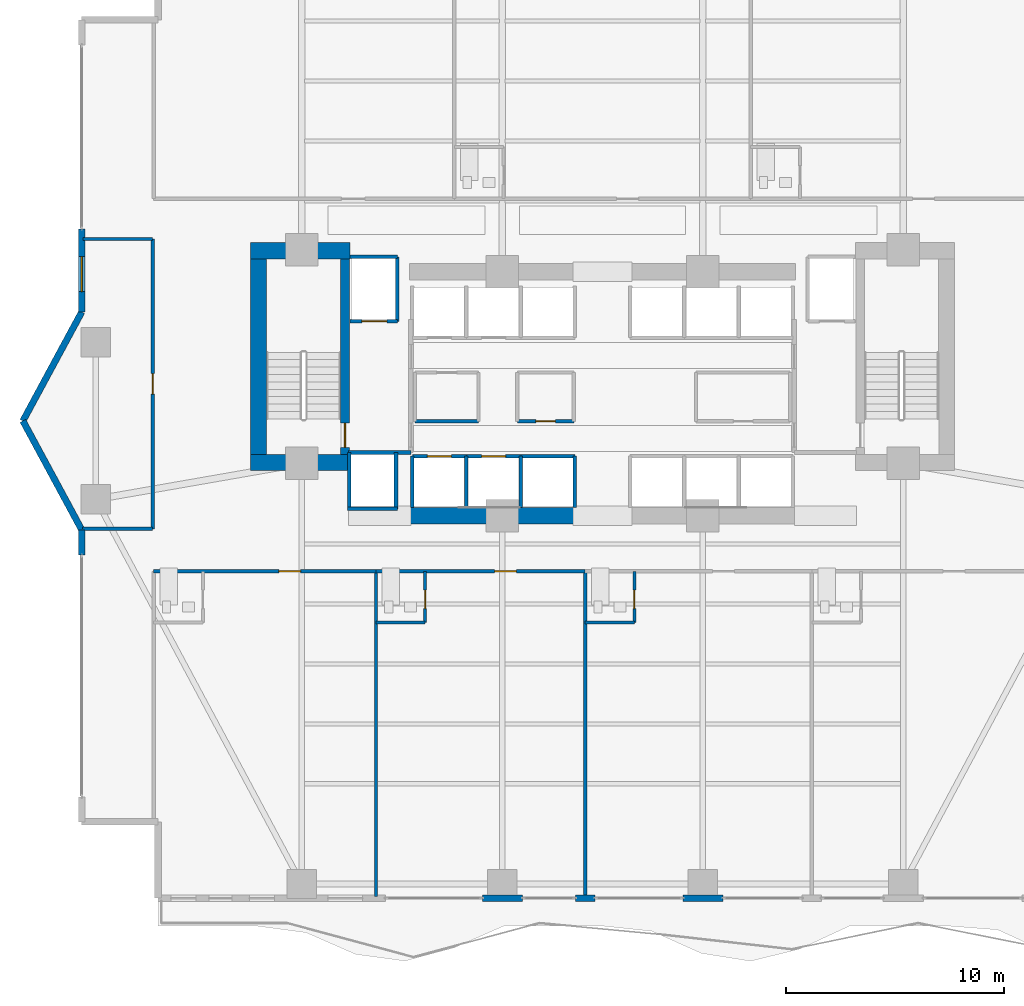
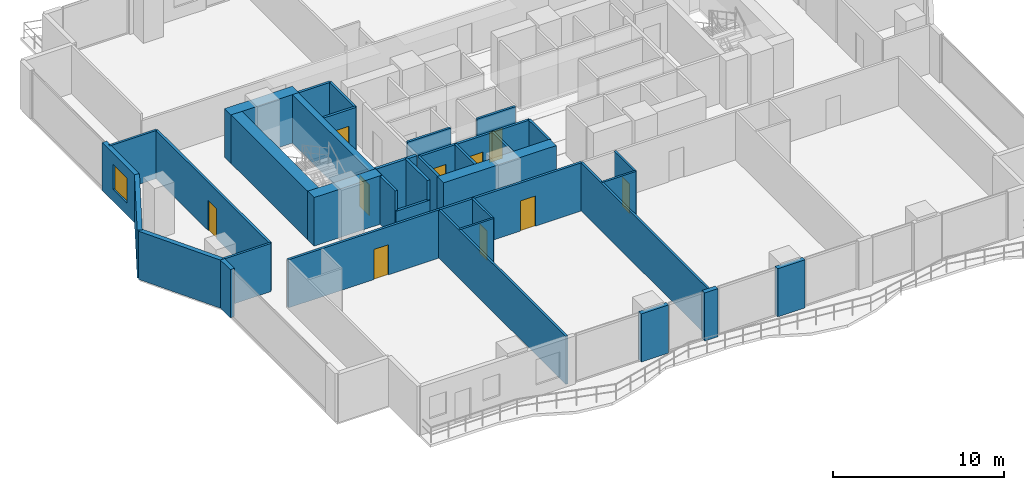
# One storey, part 21 of 28: 39 walls, 10 doors, 1 window, 11 openings.
"""IFC4 building model written with IfcOpenShell, lengths in metres."""

from ifc_helpers import new_model, si_unit, direction, frame, frame_2d, origin, place, context, subcontext, project, spatial, rectangle, extrude, material, layer, layer_set, type_object, element, fill, save


model = new_model("IFC4")

# Units and contexts
model_context = context("Model", 3, precision=1e-05, world=origin(), true_north=direction((0.0, 1.0)))
body_context = subcontext(model_context, "Body", "Model", "MODEL_VIEW")
ifc_project = project(units=[si_unit("LENGTHUNIT", "METRE"), si_unit("AREAUNIT", "SQUARE_METRE"), si_unit("VOLUMEUNIT", "CUBIC_METRE"), si_unit("PLANEANGLEUNIT", "RADIAN"), si_unit("MASSUNIT", "GRAM", prefix="KILO")], contexts=[model_context])

# Site, building, storey
site_placement = place(None, origin())
site = spatial("IfcSite", under=ifc_project, at=site_placement, CompositionType="ELEMENT")
building_placement = place(site_placement, origin())
building = spatial("IfcBuilding", under=site, at=building_placement, Name="Zuhayl Quay Hotel", CompositionType="ELEMENT")
storey_placement = place(building_placement, frame((0.0, 0.0, 146.75)))
storey = spatial("IfcBuildingStorey", under=building, at=storey_placement, Name="L37", CompositionType="ELEMENT", Elevation=146.75)

# Walls
ifc_material_1 = material(Name="Concrete C60/75", Category="concrete")
ifc_layer_1 = layer(ifc_material_1, 0.75, Name="Concrete C60/75", Category="concrete")
ifc_layer_set_1 = layer_set([ifc_layer_1], Name="Concrete C60/75")
wall_type_1 = type_object("IfcWallType", Name="WL_CORE_750", PredefinedType="SHEAR", material=ifc_layer_set_1)
wall_1_placement = place(storey_placement, frame((-16.159912109375, 14.304931640625, 0.0), z_axis=(0.0, 0.0, 1.0), x_axis=(1.0, 0.0, 0.0)))
element("IfcWall", 1, at=wall_1_placement, inside=storey, type_object=wall_type_1, Name="L37 Core Shear Wall CW_NW", PredefinedType="SHEAR", context=body_context, shape_type="SweptSolid", body=[
    extrude(rectangle(XDim=4.559814453125, YDim=0.75, at=frame_2d((2.27978515625, 0.0))), origin(), (0.0, 0.0, 1.0), 3.4599609375),
])
wall_2_placement = place(storey_placement, frame((-15.784912109375, 4.969970703125, 0.0), z_axis=(0.0, 0.0, 1.0), x_axis=(0.0, 1.0, 0.0)))
element("IfcWall", 2, at=wall_2_placement, inside=storey, type_object=wall_type_1, Name="L37 Core Shear Wall CW_W", PredefinedType="SHEAR", context=body_context, shape_type="SweptSolid", body=[
    extrude(rectangle(XDim=8.9599609375, YDim=0.75, at=frame_2d((4.47998046875, 0.0))), origin(), (0.0, 0.0, 1.0), 3.4599609375),
])
wall_3_placement = place(storey_placement, frame((-16.159912109375, 4.594970703125, 0.0), z_axis=(0.0, 0.0, 1.0), x_axis=(1.0, 0.0, 0.0)))
element("IfcWall", 3, at=wall_3_placement, inside=storey, type_object=wall_type_1, Name="L37 Core Shear Wall CW_SW", PredefinedType="SHEAR", context=body_context, shape_type="SweptSolid", body=[
    extrude(rectangle(XDim=4.559814453125, YDim=0.75, at=frame_2d((2.27978515625, 0.0))), origin(), (0.0, 0.0, 1.0), 3.4599609375),
])
wall_4_placement = place(storey_placement, frame((-8.85009765625, 2.14990234375, 0.0), z_axis=(0.0, 0.0, 1.0), x_axis=(1.0, 0.0, 0.0)))
element("IfcWall", 4, at=wall_4_placement, inside=storey, type_object=wall_type_1, Name="L37 Core Shear Wall CW_SC_W", PredefinedType="SHEAR", context=body_context, shape_type="SweptSolid", body=[
    extrude(rectangle(XDim=7.60009765625, YDim=0.75, at=frame_2d((3.800048828125, 0.0))), origin(), (0.0, 0.0, 1.0), 3.429931640625),
])
ifc_material_2 = material(Name="Precast concrete C45/55", Category="concrete")
ifc_layer_2 = layer(ifc_material_2, 0.300048828125, Name="Precast concrete C45/55", Category="concrete")
ifc_layer_set_2 = layer_set([ifc_layer_2], Name="Precast concrete C45/55")
wall_type_2 = type_object("IfcWallType", Name="WL_EXT_300", PredefinedType="STANDARD", material=ifc_layer_set_2)
wall_5_placement = place(storey_placement, frame((-23.89990234375, 0.35009765625, 0.0), z_axis=(0.0, 0.0, 1.0), x_axis=(0.0, 1.0, 0.0)))
element("IfcWall", 5, at=wall_5_placement, inside=storey, type_object=wall_type_2, Name="L37 Exterior Precast Wall ENV_L37_E02_EW2", PredefinedType="STANDARD", context=body_context, shape_type="SweptSolid", body=[
    extrude(rectangle(XDim=1.14990234375, YDim=0.300048828125, at=frame_2d((0.574951171875, 0.0))), origin(), (0.0, 0.0, 1.0), 3.429931640625),
])
for number, where, z_axis, x_axis, name in (
    (6, (-23.89990234375, 1.5, 0.0), (0.0, 0.0, 1.0), (-0.475175525499, 0.879891027325, 0.0), "L37 Exterior Precast Wall ENV_L37_EW03"),
    (7, (-26.60009765625, 6.5, 0.0), (0.0, 0.0, 1.0), (0.475175525499, 0.879891027325, 0.0), "L37 Exterior Precast Wall ENV_L37_EW04"),
):
    element("IfcWall", number, at=place(storey_placement, frame(where, z_axis=z_axis, x_axis=x_axis)), inside=storey, type_object=wall_type_2, Name=name, PredefinedType="STANDARD", context=body_context, shape_type="SweptSolid", body=[
        extrude(rectangle(XDim=5.6826171875, YDim=0.300048828125, at=frame_2d((2.84130859375, 0.0))), origin(), (0.0, 0.0, 1.0), 3.429931640625),
    ])

# Wall, opening, window
wall_6_placement = place(storey_placement, frame((-23.89990234375, 11.5, 0.0), z_axis=(0.0, 0.0, 1.0), x_axis=(0.0, 1.0, 0.0)))
wall_6 = element("IfcWall", 8, at=wall_6_placement, inside=storey, type_object=wall_type_2, Name="L37 Exterior Precast Wall ENV_L37_E05_EW1", PredefinedType="STANDARD", context=body_context, shape_type="SweptSolid", body=[
    extrude(rectangle(XDim=3.800048828125, YDim=0.300048828125, at=frame_2d((1.89990234375, 0.0))), origin(), (0.0, 0.0, 1.0), 3.429931640625),
])
opening_1_placement = place(wall_6_placement, frame((0.93505859375, 0.0, 0.85009765625)))
opening_1 = element("IfcOpeningElement", 9, at=opening_1_placement, cuts=wall_6, Name="Opening W01", PredefinedType="OPENING", context=body_context, shape_type="SweptSolid", body=[
    extrude(rectangle(XDim=1.60009765625, YDim=1.800048828125, at=frame_2d((0.800048828125, 0.89990234375))), frame((0.0, 0.159912109375, 0.0), z_axis=(0.0, -1.0, 0.0), x_axis=(1.0, 0.0, 0.0)), (0.0, 0.0, 1.0), 0.320068359375),
])
ifc_material_3 = material(Name="Dark Ceramic-Fritted Solar Glass", Category="glass")
window_type = type_object("IfcWindowType", Name="WN_OPERABLE_1600", PartitioningType="DOUBLE_PANEL_VERTICAL", PredefinedType="WINDOW", material=ifc_material_3)
window_placement = place(opening_1_placement, origin())
window = element("IfcWindow", 10, at=window_placement, inside=storey, type_object=window_type, Name="L37 Operable Facade Window 1-1", OverallHeight=1.800048828125, OverallWidth=1.60009765625, PartitioningType="SINGLE_PANEL", PredefinedType="WINDOW", context=body_context, shape_type="SweptSolid", body=[
    extrude(rectangle(XDim=1.60009765625, YDim=1.800048828125, at=frame_2d((0.800048828125, 0.89990234375))), frame((0.0, 0.030029296875, 0.0), z_axis=(0.0, -1.0, 0.0), x_axis=(1.0, 0.0, 0.0)), (0.0, 0.0, 1.0), 0.06005859375),
])
fill(opening_1, window)

# Walls
wall_7_placement = place(storey_placement, frame((5.52001953125, -15.39990234375, 0.0), z_axis=(0.0, 0.0, 1.0), x_axis=(-1.0, 0.0, 0.0)))
element("IfcWall", 11, at=wall_7_placement, inside=storey, type_object=wall_type_2, Name="L37 Exterior Precast Wall ENV_L37_S_EW4", PredefinedType="STANDARD", context=body_context, shape_type="SweptSolid", body=[
    extrude(rectangle(XDim=1.840087890625, YDim=0.300048828125, at=frame_2d((0.919921875, 0.0))), origin(), (0.0, 0.0, 1.0), 3.429931640625),
])
wall_8_placement = place(storey_placement, frame((-0.35009765625, -15.39990234375, 0.0), z_axis=(0.0, 0.0, 1.0), x_axis=(-1.0, 0.0, 0.0)))
element("IfcWall", 12, at=wall_8_placement, inside=storey, type_object=wall_type_2, Name="L37 Exterior Precast Wall ENV_L37_S_EW5", PredefinedType="STANDARD", context=body_context, shape_type="SweptSolid", body=[
    extrude(rectangle(XDim=0.89990234375, YDim=0.300048828125, at=frame_2d((0.449951171875, 0.0))), origin(), (0.0, 0.0, 1.0), 3.429931640625),
])
wall_9_placement = place(storey_placement, frame((-3.679931640625, -15.39990234375, 0.0), z_axis=(0.0, 0.0, 1.0), x_axis=(-1.0, 0.0, 0.0)))
element("IfcWall", 13, at=wall_9_placement, inside=storey, type_object=wall_type_2, Name="L37 Exterior Precast Wall ENV_L37_S_EW6", PredefinedType="STANDARD", context=body_context, shape_type="SweptSolid", body=[
    extrude(rectangle(XDim=1.840087890625, YDim=0.300048828125, at=frame_2d((0.919921875, 0.0))), origin(), (0.0, 0.0, 1.0), 3.429931640625),
])

# Wall, opening, door
ifc_material_4 = material(Name="Acoustic Gypsum Partition STC-58")
ifc_layer_3 = layer(ifc_material_4, 0.14990234375, Name="Acoustic Gypsum Partition STC-58")
ifc_layer_set_3 = layer_set([ifc_layer_3], Name="Acoustic Gypsum Partition STC-58")
wall_type_3 = type_object("IfcWallType", Name="WL_PART_150", PredefinedType="PARTITIONING", material=ifc_layer_set_3)
wall_10_placement = place(storey_placement, frame((-3.909912109375, 6.47998046875, 0.0), z_axis=(0.0, 0.0, 1.0), x_axis=(1.0, 0.0, 0.0)))
wall_10 = element("IfcWall", 14, at=wall_10_placement, inside=storey, type_object=wall_type_3, Name="L37 Partition IW_L37_CORE_BC_S", PredefinedType="PARTITIONING", context=body_context, shape_type="SweptSolid", body=[
    extrude(rectangle(XDim=2.58984375, YDim=0.14990234375, at=frame_2d((1.294921875, 0.0))), origin(), (0.0, 0.0, 1.0), 3.429931640625),
])
opening_2_placement = place(wall_10_placement, frame((0.844970703125, 0.0, 0.0)))
opening_2 = element("IfcOpeningElement", 15, at=opening_2_placement, cuts=wall_10, Name="Opening D06", PredefinedType="OPENING", context=body_context, shape_type="SweptSolid", body=[
    extrude(rectangle(XDim=0.89990234375, YDim=2.14990234375, at=frame_2d((0.449951171875, 1.074951171875))), frame((0.0, 0.0849609375, 0.0), z_axis=(0.0, -1.0, 0.0), x_axis=(1.0, 0.0, 0.0)), (0.0, 0.0, 1.0), 0.169921875),
])
ifc_material_5 = material(Name="Steel ASTM A992 Grade 50", Category="steel")
door_type_1 = type_object("IfcDoorType", Name="DR_INT_900", OperationType="NOTDEFINED", PredefinedType="DOOR", material=ifc_material_5)
door_1_placement = place(opening_2_placement, origin())
door_1 = element("IfcDoor", 16, at=door_1_placement, inside=storey, type_object=door_type_1, Name="L37 BMS Control Closet Door", OperationType="SINGLE_SWING_RIGHT", OverallHeight=2.14990234375, OverallWidth=0.89990234375, PredefinedType="DOOR", context=body_context, shape_type="SweptSolid", body=[
    extrude(rectangle(XDim=0.89990234375, YDim=2.14990234375, at=frame_2d((0.449951171875, 1.074951171875))), frame((0.0, 0.02490234375, 0.0), z_axis=(0.0, -1.0, 0.0), x_axis=(1.0, 0.0, 0.0)), (0.0, 0.0, 1.0), 0.050048828125),
])
fill(opening_2, door_1)

# Walls
wall_11_placement = place(storey_placement, frame((-8.610107421875, 6.47998046875, 0.0), z_axis=(0.0, 0.0, 1.0), x_axis=(1.0, 0.0, 0.0)))
element("IfcWall", 17, at=wall_11_placement, inside=storey, type_object=wall_type_3, Name="L37 Partition IW_L37_CORE_HK_S", PredefinedType="PARTITIONING", context=body_context, shape_type="SweptSolid", body=[
    extrude(rectangle(XDim=2.920166015625, YDim=0.14990234375, at=frame_2d((1.4599609375, 0.0))), origin(), (0.0, 0.0, 1.0), 3.429931640625),
])
for number, where, z_axis, x_axis, name in (
    (18, (-10.39990234375, -15.320068359375, 0.0), (0.0, 0.0, 1.0), (0.0, 1.0, 0.0), "L37 Partition IW_L37_SU01_E"),
    (19, (-0.800048828125, -15.320068359375, 0.0), (0.0, 0.0, 1.0), (0.0, 1.0, 0.0), "L37 Partition IW_L37_SU02_E"),
):
    element("IfcWall", number, at=place(storey_placement, frame(where, z_axis=z_axis, x_axis=x_axis)), inside=storey, type_object=wall_type_3, Name=name, PredefinedType="PARTITIONING", context=body_context, shape_type="SweptSolid", body=[
        extrude(rectangle(XDim=14.920166015625, YDim=0.14990234375, at=frame_2d((7.4599609375, 0.0))), origin(), (0.0, 0.0, 1.0), 3.429931640625),
    ])
wall_12_placement = place(storey_placement, frame((-23.866943359375, 1.550048828125, 0.0), z_axis=(0.0, 0.0, 1.0), x_axis=(1.0, 0.0, 0.0)))
element("IfcWall", 20, at=wall_12_placement, inside=storey, type_object=wall_type_3, Name="L37 Partition IW_L37_WPROW_1_S", PredefinedType="PARTITIONING", context=body_context, shape_type="SweptSolid", body=[
    extrude(rectangle(XDim=3.217041015625, YDim=0.14990234375, at=frame_2d((1.6083984375, 0.0))), origin(), (0.0, 0.0, 1.0), 3.429931640625),
])
wall_13_placement = place(storey_placement, frame((-23.840087890625, 14.85009765625, 0.0), z_axis=(0.0, 0.0, 1.0), x_axis=(1.0, 0.0, 0.0)))
element("IfcWall", 21, at=wall_13_placement, inside=storey, type_object=wall_type_3, Name="L37 Partition IW_L37_WPROW_1_N", PredefinedType="PARTITIONING", context=body_context, shape_type="SweptSolid", body=[
    extrude(rectangle(XDim=3.190185546875, YDim=0.14990234375, at=frame_2d((1.59521484375, 0.0))), origin(), (0.0, 0.0, 1.0), 3.429931640625),
])

# Wall, opening, door
ifc_layer_4 = layer(ifc_material_4, 0.159912109375, Name="Acoustic Gypsum Partition STC-58")
ifc_layer_set_4 = layer_set([ifc_layer_4], Name="Acoustic Gypsum Partition STC-58")
wall_type_4 = type_object("IfcWallType", Name="WL_PART_CORR_160", PredefinedType="PARTITIONING", material=ifc_layer_set_4)
wall_14_placement = place(storey_placement, frame((-20.60009765625, -0.39990234375, 0.0), z_axis=(0.0, 0.0, 1.0), x_axis=(1.0, 0.0, 0.0)))
wall_14 = element("IfcWall", 22, at=wall_14_placement, inside=storey, type_object=wall_type_4, Name="L37 Partition IW_L37_SU01_COR", PredefinedType="PARTITIONING", context=body_context, shape_type="SweptSolid", body=[
    extrude(rectangle(XDim=10.2001953125, YDim=0.159912109375, at=frame_2d((5.10009765625, 0.0))), origin(), (0.0, 0.0, 1.0), 3.429931640625),
])
opening_3_placement = place(wall_14_placement, frame((5.75, 0.0, 0.0)))
opening_3 = element("IfcOpeningElement", 23, at=opening_3_placement, cuts=wall_14, Name="Opening D03L", PredefinedType="OPENING", context=body_context, shape_type="SweptSolid", body=[
    extrude(rectangle(XDim=1.0, YDim=2.14990234375, at=frame_2d((0.5, 1.074951171875))), frame((0.0, 0.08984375, 0.0), z_axis=(0.0, -1.0, 0.0), x_axis=(1.0, 0.0, 0.0)), (0.0, 0.0, 1.0), 0.179931640625),
])
ifc_material_6 = material(Name="Solid Walnut Acoustic Fire Door")
door_type_2 = type_object("IfcDoorType", Name="DR_SUITE_1000", OperationType="NOTDEFINED", PredefinedType="DOOR", material=ifc_material_6)
door_2_placement = place(opening_3_placement, origin())
door_2 = element("IfcDoor", 24, at=door_2_placement, inside=storey, type_object=door_type_2, Name="L37 City-View Junior Suite L37-01 Entrance Door", OperationType="SINGLE_SWING_RIGHT", OverallHeight=2.14990234375, OverallWidth=1.0, PredefinedType="DOOR", context=body_context, shape_type="SweptSolid", body=[
    extrude(rectangle(XDim=1.0, YDim=2.14990234375, at=frame_2d((0.5, 1.074951171875))), frame((0.0, 0.02490234375, 0.0), z_axis=(0.0, -1.0, 0.0), x_axis=(1.0, 0.0, 0.0)), (0.0, 0.0, 1.0), 0.050048828125),
])
fill(opening_3, door_2)

wall_15_placement = place(storey_placement, frame((-10.39990234375, -0.39990234375, 0.0), z_axis=(0.0, 0.0, 1.0), x_axis=(1.0, 0.0, 0.0)))
wall_15 = element("IfcWall", 25, at=wall_15_placement, inside=storey, type_object=wall_type_4, Name="L37 Partition IW_L37_SU02_COR", PredefinedType="PARTITIONING", context=body_context, shape_type="SweptSolid", body=[
    extrude(rectangle(XDim=9.599853515625, YDim=0.159912109375, at=frame_2d((4.7998046875, 0.0))), origin(), (0.0, 0.0, 1.0), 3.429931640625),
])
opening_4_placement = place(wall_15_placement, frame((5.449951171875, 0.0, 0.0)))
opening_4 = element("IfcOpeningElement", 26, at=opening_4_placement, cuts=wall_15, Name="Opening D03L", PredefinedType="OPENING", context=body_context, shape_type="SweptSolid", body=[
    extrude(rectangle(XDim=1.0, YDim=2.14990234375, at=frame_2d((0.5, 1.074951171875))), frame((0.0, 0.08984375, 0.0), z_axis=(0.0, -1.0, 0.0), x_axis=(1.0, 0.0, 0.0)), (0.0, 0.0, 1.0), 0.179931640625),
])
door_3_placement = place(opening_4_placement, origin())
door_3 = element("IfcDoor", 27, at=door_3_placement, inside=storey, type_object=door_type_2, Name="L37 City-View Junior Suite L37-02 Entrance Door", OperationType="SINGLE_SWING_RIGHT", OverallHeight=2.14990234375, OverallWidth=1.0, PredefinedType="DOOR", context=body_context, shape_type="SweptSolid", body=[
    extrude(rectangle(XDim=1.0, YDim=2.14990234375, at=frame_2d((0.5, 1.074951171875))), frame((0.0, 0.02490234375, 0.0), z_axis=(0.0, -1.0, 0.0), x_axis=(1.0, 0.0, 0.0)), (0.0, 0.0, 1.0), 0.050048828125),
])
fill(opening_4, door_3)

wall_16_placement = place(storey_placement, frame((-20.64990234375, 1.550048828125, 0.0), z_axis=(0.0, 0.0, 1.0), x_axis=(0.0, 1.0, 0.0)))
wall_16 = element("IfcWall", 28, at=wall_16_placement, inside=storey, type_object=wall_type_4, Name="L37 Partition IW_L37_WPROW_1_E", PredefinedType="PARTITIONING", context=body_context, shape_type="SweptSolid", body=[
    extrude(rectangle(XDim=13.300048828125, YDim=0.159912109375, at=frame_2d((6.64990234375, 0.0))), origin(), (0.0, 0.0, 1.0), 3.429931640625),
])
opening_5_placement = place(wall_16_placement, frame((6.175048828125, 0.0, 0.0)))
opening_5 = element("IfcOpeningElement", 29, at=opening_5_placement, cuts=wall_16, Name="Opening D03", PredefinedType="OPENING", context=body_context, shape_type="SweptSolid", body=[
    extrude(rectangle(XDim=0.949951171875, YDim=2.14990234375, at=frame_2d((0.47509765625, 1.074951171875))), frame((0.0, 0.08984375, 0.0), z_axis=(0.0, -1.0, 0.0), x_axis=(1.0, 0.0, 0.0)), (0.0, 0.0, 1.0), 0.179931640625),
])
door_type_3 = type_object("IfcDoorType", Name="DR_SUITE_950", OperationType="NOTDEFINED", PredefinedType="DOOR", material=ifc_material_6)
door_4_placement = place(opening_5_placement, origin())
door_4 = element("IfcDoor", 30, at=door_4_placement, inside=storey, type_object=door_type_3, Name="L37 West Prow Panoramic Salon L37 Door", OperationType="SINGLE_SWING_LEFT", OverallHeight=2.14990234375, OverallWidth=0.949951171875, PredefinedType="DOOR", context=body_context, shape_type="SweptSolid", body=[
    extrude(rectangle(XDim=0.949951171875, YDim=2.14990234375, at=frame_2d((0.47509765625, 1.074951171875))), frame((0.0, 0.02490234375, 0.0), z_axis=(0.0, -1.0, 0.0), x_axis=(1.0, 0.0, 0.0)), (0.0, 0.0, 1.0), 0.050048828125),
])
fill(opening_5, door_4)

ifc_material_7 = material(Name="Moisture-Resistant Sanitarychase Gypsum")
ifc_layer_5 = layer(ifc_material_7, 0.135009765625, Name="Moisture-Resistant Sanitarychase Gypsum")
ifc_layer_set_5 = layer_set([ifc_layer_5], Name="Moisture-Resistant Sanitarychase Gypsum")
wall_type_5 = type_object("IfcWallType", Name="WL_PART_PLUMB_150", PredefinedType="PLUMBINGWALL", material=ifc_layer_set_5)
wall_17_placement = place(storey_placement, frame((-8.139892578125, -2.760009765625, 0.0), z_axis=(0.0, 0.0, 1.0), x_axis=(0.0, 1.0, 0.0)))
wall_17 = element("IfcWall", 31, at=wall_17_placement, inside=storey, type_object=wall_type_5, Name="L37 Partition IW_L37_SU02_BE", PredefinedType="PLUMBINGWALL", context=body_context, shape_type="SweptSolid", body=[
    extrude(rectangle(XDim=2.360107421875, YDim=0.135009765625, at=frame_2d((1.18017578125, 0.0))), origin(), (0.0, 0.0, 1.0), 3.429931640625),
])
opening_6_placement = place(wall_17_placement, frame((0.64990234375, 0.0, 0.0)))
opening_6 = element("IfcOpeningElement", 32, at=opening_6_placement, cuts=wall_17, Name="Opening D04", PredefinedType="OPENING", context=body_context, shape_type="SweptSolid", body=[
    extrude(rectangle(XDim=0.85009765625, YDim=2.10009765625, at=frame_2d((0.425048828125, 1.050048828125))), frame((0.0, 0.077392578125, 0.0), z_axis=(0.0, -1.0, 0.0), x_axis=(1.0, 0.0, 0.0)), (0.0, 0.0, 1.0), 0.155029296875),
])
ifc_material_8 = material(Name="Moisture-Resistant Walnut Veneer")
door_type_4 = type_object("IfcDoorType", Name="DR_BATH_850", OperationType="NOTDEFINED", PredefinedType="DOOR", material=ifc_material_8)
door_5_placement = place(opening_6_placement, origin())
door_5 = element("IfcDoor", 33, at=door_5_placement, inside=storey, type_object=door_type_4, Name="L37 City-View Junior Suite L37-02 En-Suite Door", OperationType="SINGLE_SWING_LEFT", OverallHeight=2.10009765625, OverallWidth=0.85009765625, PredefinedType="DOOR", context=body_context, shape_type="SweptSolid", body=[
    extrude(rectangle(XDim=0.85009765625, YDim=2.10009765625, at=frame_2d((0.425048828125, 1.050048828125))), frame((0.0, 0.02490234375, 0.0), z_axis=(0.0, -1.0, 0.0), x_axis=(1.0, 0.0, 0.0)), (0.0, 0.0, 1.0), 0.050048828125),
])
fill(opening_6, door_5)

wall_18_placement = place(storey_placement, frame((1.4599609375, -2.760009765625, 0.0), z_axis=(0.0, 0.0, 1.0), x_axis=(0.0, 1.0, 0.0)))
wall_18 = element("IfcWall", 34, at=wall_18_placement, inside=storey, type_object=wall_type_5, Name="L37 Partition IW_L37_SU03_BE", PredefinedType="PLUMBINGWALL", context=body_context, shape_type="SweptSolid", body=[
    extrude(rectangle(XDim=2.360107421875, YDim=0.135009765625, at=frame_2d((1.18017578125, 0.0))), origin(), (0.0, 0.0, 1.0), 3.429931640625),
])
opening_7_placement = place(wall_18_placement, frame((0.64990234375, 0.0, 0.0)))
opening_7 = element("IfcOpeningElement", 35, at=opening_7_placement, cuts=wall_18, Name="Opening D04", PredefinedType="OPENING", context=body_context, shape_type="SweptSolid", body=[
    extrude(rectangle(XDim=0.85009765625, YDim=2.10009765625, at=frame_2d((0.425048828125, 1.050048828125))), frame((0.0, 0.077392578125, 0.0), z_axis=(0.0, -1.0, 0.0), x_axis=(1.0, 0.0, 0.0)), (0.0, 0.0, 1.0), 0.155029296875),
])
door_6_placement = place(opening_7_placement, origin())
door_6 = element("IfcDoor", 36, at=door_6_placement, inside=storey, type_object=door_type_4, Name="L37 City-View Junior Suite L37-03 En-Suite Door", OperationType="SINGLE_SWING_LEFT", OverallHeight=2.10009765625, OverallWidth=0.85009765625, PredefinedType="DOOR", context=body_context, shape_type="SweptSolid", body=[
    extrude(rectangle(XDim=0.85009765625, YDim=2.10009765625, at=frame_2d((0.425048828125, 1.050048828125))), frame((0.0, 0.02490234375, 0.0), z_axis=(0.0, -1.0, 0.0), x_axis=(1.0, 0.0, 0.0)), (0.0, 0.0, 1.0), 0.050048828125),
])
fill(opening_7, door_6)

# Walls
for number, where, z_axis, x_axis, name in (
    (37, (-10.39990234375, -2.760009765625, 0.0), (0.0, 0.0, 1.0), (1.0, 0.0, 0.0), "L37 Partition IW_L37_SU02_BS"),
    (38, (-0.800048828125, -2.760009765625, 0.0), (0.0, 0.0, 1.0), (1.0, 0.0, 0.0), "L37 Partition IW_L37_SU03_BS"),
):
    element("IfcWall", number, at=place(storey_placement, frame(where, z_axis=z_axis, x_axis=x_axis)), inside=storey, type_object=wall_type_5, Name=name, PredefinedType="PLUMBINGWALL", context=body_context, shape_type="SweptSolid", body=[
        extrude(rectangle(XDim=2.260009765625, YDim=0.135009765625, at=frame_2d((1.1298828125, 0.0))), origin(), (0.0, 0.0, 1.0), 3.429931640625),
    ])

# Wall, opening, door
ifc_material_9 = material(Name="Gypsum Fireboard Assembly EI-90")
ifc_layer_6 = layer(ifc_material_9, 0.1650390625, Name="Gypsum Fireboard Assembly EI-90")
ifc_layer_set_6 = layer_set([ifc_layer_6], Name="Gypsum Fireboard Assembly EI-90")
wall_type_6 = type_object("IfcWallType", Name="WL_PART_SHAFT_160", PredefinedType="PARTITIONING", material=ifc_layer_set_6)
wall_19_placement = place(storey_placement, frame((-11.580078125, 11.070068359375, 0.0), z_axis=(0.0, 0.0, 1.0), x_axis=(1.0, 0.0, 0.0)))
wall_19 = element("IfcWall", 39, at=wall_19_placement, inside=storey, type_object=wall_type_6, Name="L37 Partition IW_L37_SH_FL1_F", PredefinedType="PARTITIONING", context=body_context, shape_type="SweptSolid", body=[
    extrude(rectangle(XDim=2.16015625, YDim=0.1650390625, at=frame_2d((1.080078125, 0.0))), origin(), (0.0, 0.0, 1.0), 3.429931640625),
])
opening_8_placement = place(wall_19_placement, frame((0.530029296875, 0.0, 0.0)))
opening_8 = element("IfcOpeningElement", 40, at=opening_8_placement, cuts=wall_19, Name="Opening LD2", PredefinedType="OPENING", context=body_context, shape_type="SweptSolid", body=[
    extrude(rectangle(XDim=1.14990234375, YDim=2.25, at=frame_2d((0.574951171875, 1.125))), frame((0.0, 0.092529296875, 0.0), z_axis=(0.0, -1.0, 0.0), x_axis=(1.0, 0.0, 0.0)), (0.0, 0.0, 1.0), 0.18505859375),
])
ifc_material_10 = material(Name="Brushed Stainless Steel", Category="steel")
door_type_5 = type_object("IfcDoorType", Name="DR_LIFT_FF_1100", OperationType="SLIDING_TO_LEFT", PredefinedType="DOOR", material=ifc_material_10)
door_7_placement = place(opening_8_placement, origin())
door_7 = element("IfcDoor", 41, at=door_7_placement, inside=storey, type_object=door_type_5, Name="L37 Lift FL1 Sliding Landing Door", OperationType="SLIDING_TO_LEFT", OverallHeight=2.25, OverallWidth=1.14990234375, PredefinedType="DOOR", context=body_context, shape_type="SweptSolid", body=[
    extrude(rectangle(XDim=1.14990234375, YDim=2.25, at=frame_2d((0.574951171875, 1.125))), frame((0.0, 0.02490234375, 0.0), z_axis=(0.0, -1.0, 0.0), x_axis=(1.0, 0.0, 0.0)), (0.0, 0.0, 1.0), 0.050048828125),
])
fill(opening_8, door_7)

wall_20_placement = place(storey_placement, frame((-8.72998046875, 4.8798828125, 0.0), z_axis=(0.0, 0.0, 1.0), x_axis=(1.0, 0.0, 0.0)))
wall_20 = element("IfcWall", 42, at=wall_20_placement, inside=storey, type_object=wall_type_6, Name="L37 Partition IW_L37_SH_LP1_F", PredefinedType="PARTITIONING", context=body_context, shape_type="SweptSolid", body=[
    extrude(rectangle(XDim=2.47998046875, YDim=0.1650390625, at=frame_2d((1.239990234375, 0.0))), origin(), (0.0, 0.0, 1.0), 3.429931640625),
])
opening_9_placement = place(wall_20_placement, frame((0.68994140625, 0.0, 0.0)))
opening_9 = element("IfcOpeningElement", 43, at=opening_9_placement, cuts=wall_20, Name="Opening LD1", PredefinedType="OPENING", context=body_context, shape_type="SweptSolid", body=[
    extrude(rectangle(XDim=1.10009765625, YDim=2.25, at=frame_2d((0.550048828125, 1.125))), frame((0.0, 0.092529296875, 0.0), z_axis=(0.0, -1.0, 0.0), x_axis=(1.0, 0.0, 0.0)), (0.0, 0.0, 1.0), 0.18505859375),
])
door_type_6 = type_object("IfcDoorType", Name="DR_LIFT_PASS_1100", OperationType="SLIDING_TO_LEFT", PredefinedType="DOOR", material=ifc_material_10)
door_8_placement = place(opening_9_placement, origin())
door_8 = element("IfcDoor", 44, at=door_8_placement, inside=storey, type_object=door_type_6, Name="L37 Lift LP1 Sliding Landing Door", OperationType="SLIDING_TO_LEFT", OverallHeight=2.25, OverallWidth=1.10009765625, PredefinedType="DOOR", context=body_context, shape_type="SweptSolid", body=[
    extrude(rectangle(XDim=1.10009765625, YDim=2.25, at=frame_2d((0.550048828125, 1.125))), frame((0.0, 0.02490234375, 0.0), z_axis=(0.0, -1.0, 0.0), x_axis=(1.0, 0.0, 0.0)), (0.0, 0.0, 1.0), 0.050048828125),
])
fill(opening_9, door_8)

wall_21_placement = place(storey_placement, frame((-6.25, 4.8798828125, 0.0), z_axis=(0.0, 0.0, 1.0), x_axis=(1.0, 0.0, 0.0)))
wall_21 = element("IfcWall", 45, at=wall_21_placement, inside=storey, type_object=wall_type_6, Name="L37 Partition IW_L37_SH_LP2_F", PredefinedType="PARTITIONING", context=body_context, shape_type="SweptSolid", body=[
    extrude(rectangle(XDim=2.5, YDim=0.1650390625, at=frame_2d((1.25, 0.0))), origin(), (0.0, 0.0, 1.0), 3.429931640625),
])
opening_10_placement = place(wall_21_placement, frame((0.699951171875, 0.0, 0.0)))
opening_10 = element("IfcOpeningElement", 46, at=opening_10_placement, cuts=wall_21, Name="Opening LD1", PredefinedType="OPENING", context=body_context, shape_type="SweptSolid", body=[
    extrude(rectangle(XDim=1.10009765625, YDim=2.25, at=frame_2d((0.550048828125, 1.125))), frame((0.0, 0.092529296875, 0.0), z_axis=(0.0, -1.0, 0.0), x_axis=(1.0, 0.0, 0.0)), (0.0, 0.0, 1.0), 0.18505859375),
])
door_9_placement = place(opening_10_placement, origin())
door_9 = element("IfcDoor", 47, at=door_9_placement, inside=storey, type_object=door_type_6, Name="L37 Lift LP2 Sliding Landing Door", OperationType="SLIDING_TO_LEFT", OverallHeight=2.25, OverallWidth=1.10009765625, PredefinedType="DOOR", context=body_context, shape_type="SweptSolid", body=[
    extrude(rectangle(XDim=1.10009765625, YDim=2.25, at=frame_2d((0.550048828125, 1.125))), frame((0.0, 0.02490234375, 0.0), z_axis=(0.0, -1.0, 0.0), x_axis=(1.0, 0.0, 0.0)), (0.0, 0.0, 1.0), 0.050048828125),
])
fill(opening_10, door_9)

# Walls
wall_22_placement = place(storey_placement, frame((-9.419921875, 11.070068359375, 0.0), z_axis=(0.0, 0.0, 1.0), x_axis=(0.0, 1.0, 0.0)))
element("IfcWall", 48, at=wall_22_placement, inside=storey, type_object=wall_type_6, Name="L37 Partition IW_L37_SH_FL1_E", PredefinedType="PARTITIONING", context=body_context, shape_type="SweptSolid", body=[
    extrude(rectangle(XDim=2.9599609375, YDim=0.1650390625, at=frame_2d((1.47998046875, 0.0))), origin(), (0.0, 0.0, 1.0), 3.429931640625),
])
wall_23_placement = place(storey_placement, frame((-11.580078125, 14.030029296875, 0.0), z_axis=(0.0, 0.0, 1.0), x_axis=(1.0, 0.0, 0.0)))
element("IfcWall", 49, at=wall_23_placement, inside=storey, type_object=wall_type_6, Name="L37 Partition IW_L37_SH_FL1_B", PredefinedType="PARTITIONING", context=body_context, shape_type="SweptSolid", body=[
    extrude(rectangle(XDim=2.16015625, YDim=0.1650390625, at=frame_2d((1.080078125, 0.0))), origin(), (0.0, 0.0, 1.0), 3.429931640625),
])
for number, where, z_axis, x_axis, name in (
    (50, (-8.72998046875, 2.52001953125, 0.0), (0.0, 0.0, 1.0), (0.0, 1.0, 0.0), "L37 Partition IW_L37_SH_LP1_W"),
    (51, (-6.25, 2.52001953125, 0.0), (0.0, 0.0, 1.0), (0.0, 1.0, 0.0), "L37 Partition IW_L37_SH_LP1_E"),
    (52, (-3.75, 2.52001953125, 0.0), (0.0, 0.0, 1.0), (0.0, 1.0, 0.0), "L37 Partition IW_L37_SH_LP2_E"),
):
    element("IfcWall", number, at=place(storey_placement, frame(where, z_axis=z_axis, x_axis=x_axis)), inside=storey, type_object=wall_type_6, Name=name, PredefinedType="PARTITIONING", context=body_context, shape_type="SweptSolid", body=[
        extrude(rectangle(XDim=2.35986328125, YDim=0.1650390625, at=frame_2d((1.179931640625, 0.0))), origin(), (0.0, 0.0, 1.0), 3.429931640625),
    ])
wall_24_placement = place(storey_placement, frame((-3.75, 4.8798828125, 0.0), z_axis=(0.0, 0.0, 1.0), x_axis=(1.0, 0.0, 0.0)))
element("IfcWall", 53, at=wall_24_placement, inside=storey, type_object=wall_type_6, Name="L37 Partition IW_L37_SH_MP1_F", PredefinedType="PARTITIONING", context=body_context, shape_type="SweptSolid", body=[
    extrude(rectangle(XDim=2.47998046875, YDim=0.1650390625, at=frame_2d((1.239990234375, 0.0))), origin(), (0.0, 0.0, 1.0), 3.429931640625),
])
wall_25_placement = place(storey_placement, frame((-1.27001953125, 2.52001953125, 0.0), z_axis=(0.0, 0.0, 1.0), x_axis=(0.0, 1.0, 0.0)))
element("IfcWall", 54, at=wall_25_placement, inside=storey, type_object=wall_type_6, Name="L37 Partition IW_L37_SH_MP1_E", PredefinedType="PARTITIONING", context=body_context, shape_type="SweptSolid", body=[
    extrude(rectangle(XDim=2.35986328125, YDim=0.1650390625, at=frame_2d((1.179931640625, 0.0))), origin(), (0.0, 0.0, 1.0), 3.429931640625),
])
wall_26_placement = place(storey_placement, frame((-11.6298828125, 2.469970703125, 0.0), z_axis=(0.0, 0.0, 1.0), x_axis=(0.0, 1.0, 0.0)))
element("IfcWall", 55, at=wall_26_placement, inside=storey, type_object=wall_type_6, Name="L37 Partition IW_L37_RISER_W", PredefinedType="PARTITIONING", context=body_context, shape_type="SweptSolid", body=[
    extrude(rectangle(XDim=2.580078125, YDim=0.1650390625, at=frame_2d((1.2900390625, 0.0))), origin(), (0.0, 0.0, 1.0), 3.429931640625),
])
wall_27_placement = place(storey_placement, frame((-11.7099609375, 2.469970703125, 0.0), z_axis=(0.0, 0.0, 1.0), x_axis=(1.0, 0.0, 0.0)))
element("IfcWall", 56, at=wall_27_placement, inside=storey, type_object=wall_type_6, Name="L37 Partition IW_L37_RISER_S", PredefinedType="PARTITIONING", context=body_context, shape_type="SweptSolid", body=[
    extrude(rectangle(XDim=2.31005859375, YDim=0.1650390625, at=frame_2d((1.155029296875, 0.0))), origin(), (0.0, 0.0, 1.0), 2.030029296875),
])
ifc_layer_7 = layer(ifc_material_9, 0.179931640625, Name="Gypsum Fireboard Assembly EI-90")
ifc_layer_set_7 = layer_set([ifc_layer_7], Name="Gypsum Fireboard Assembly EI-90")
wall_type_7 = type_object("IfcWallType", Name="WL_PART_SHAFT_180", PredefinedType="PARTITIONING", material=ifc_layer_set_7)
wall_28_placement = place(storey_placement, frame((-9.469970703125, 2.449951171875, 0.0), z_axis=(0.0, 0.0, 1.0), x_axis=(0.0, 1.0, 0.0)))
element("IfcWall", 57, at=wall_28_placement, inside=storey, type_object=wall_type_7, Name="L37 Partition IW_L37_RISER_E", PredefinedType="PARTITIONING", context=body_context, shape_type="SweptSolid", body=[
    extrude(rectangle(XDim=2.60009765625, YDim=0.179931640625, at=frame_2d((1.300048828125, 0.0))), origin(), (0.0, 0.0, 1.0), 3.429931640625),
])
ifc_material_11 = material(Name="Gypsum Fireboard Assembly EI-120")
ifc_layer_8 = layer(ifc_material_11, 0.199951171875, Name="Gypsum Fireboard Assembly EI-120")
ifc_layer_set_8 = layer_set([ifc_layer_8], Name="Gypsum Fireboard Assembly EI-120")
wall_type_8 = type_object("IfcWallType", Name="WL_PART_SHAFT_200", PredefinedType="PARTITIONING", material=ifc_layer_set_8)
wall_29_placement = place(storey_placement, frame((-11.64990234375, 5.050048828125, 0.0), z_axis=(0.0, 0.0, 1.0), x_axis=(1.0, 0.0, 0.0)))
element("IfcWall", 58, at=wall_29_placement, inside=storey, type_object=wall_type_8, Name="L37 Partition IW_L37_FSAE_W_S", PredefinedType="PARTITIONING", context=body_context, shape_type="SweptSolid", body=[
    extrude(rectangle(XDim=2.849853515625, YDim=0.199951171875, at=frame_2d((1.4248046875, 0.0))), origin(), (0.0, 0.0, 1.0), 3.429931640625),
])

# Wall, opening, door
ifc_layer_9 = layer(ifc_material_1, 0.39990234375, Name="Concrete C60/75", Category="concrete")
ifc_layer_set_9 = layer_set([ifc_layer_9], Name="Concrete C60/75")
wall_type_9 = type_object("IfcWallType", Name="WL_STAIR_400", PredefinedType="SHEAR", material=ifc_layer_set_9)
wall_30_placement = place(storey_placement, frame((-11.820068359375, 4.969970703125, 0.0), z_axis=(0.0, 0.0, 1.0), x_axis=(0.0, 1.0, 0.0)))
wall_30 = element("IfcWall", 59, at=wall_30_placement, inside=storey, type_object=wall_type_9, Name="L37 Core Shear Wall SW_ST1", PredefinedType="SHEAR", context=body_context, shape_type="SweptSolid", body=[
    extrude(rectangle(XDim=8.9599609375, YDim=0.39990234375, at=frame_2d((4.47998046875, 0.0))), origin(), (0.0, 0.0, 1.0), 3.4599609375),
])
opening_11_placement = place(wall_30_placement, frame((0.31005859375, 0.0, 0.0)))
opening_11 = element("IfcOpeningElement", 60, at=opening_11_placement, cuts=wall_30, Name="Opening D01", PredefinedType="OPENING", context=body_context, shape_type="SweptSolid", body=[
    extrude(rectangle(XDim=1.1201171875, YDim=2.219970703125, at=frame_2d((0.56005859375, 1.10986328125))), frame((0.0, 0.2099609375, 0.0), z_axis=(0.0, -1.0, 0.0), x_axis=(1.0, 0.0, 0.0)), (0.0, 0.0, 1.0), 0.419921875),
])
door_type_7 = type_object("IfcDoorType", Name="DR_STAIR_90_1100", OperationType="NOTDEFINED", PredefinedType="DOOR", material=ifc_material_5)
door_10_placement = place(opening_11_placement, origin())
door_10 = element("IfcDoor", 61, at=door_10_placement, inside=storey, type_object=door_type_7, Name="L37 Smokeproof Exit Stair ST1 Door", OperationType="SINGLE_SWING_LEFT", OverallHeight=2.219970703125, OverallWidth=1.1201171875, PredefinedType="DOOR", context=body_context, shape_type="SweptSolid", body=[
    extrude(rectangle(XDim=1.1201171875, YDim=2.219970703125, at=frame_2d((0.56005859375, 1.10986328125))), frame((0.0, 0.02490234375, 0.0), z_axis=(0.0, -1.0, 0.0), x_axis=(1.0, 0.0, 0.0)), (0.0, 0.0, 1.0), 0.050048828125),
])
fill(opening_11, door_10)

save(model, "model.ifc")
